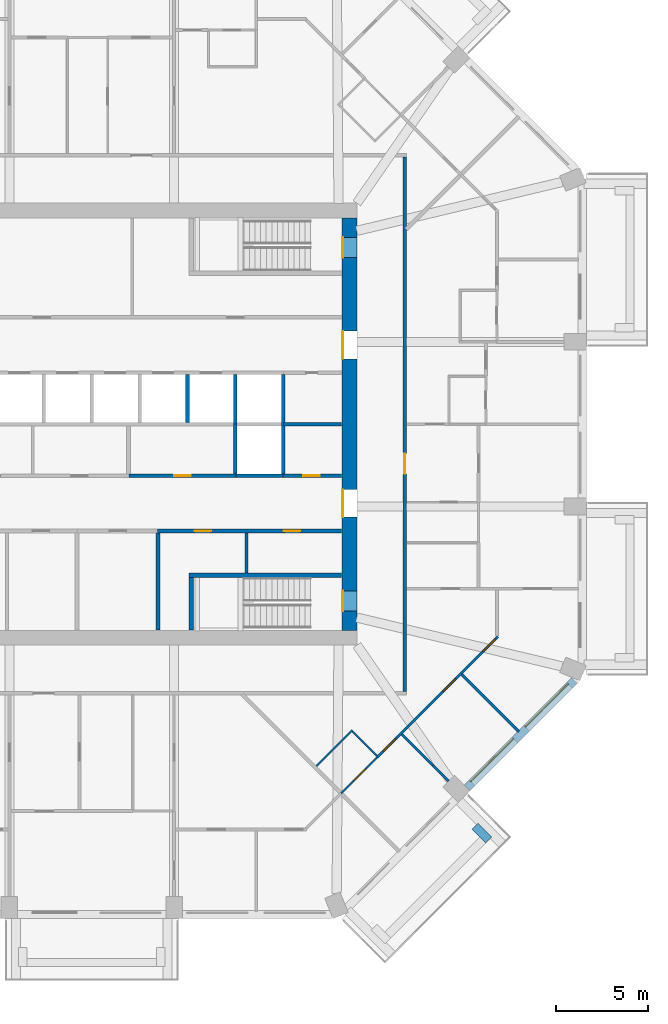
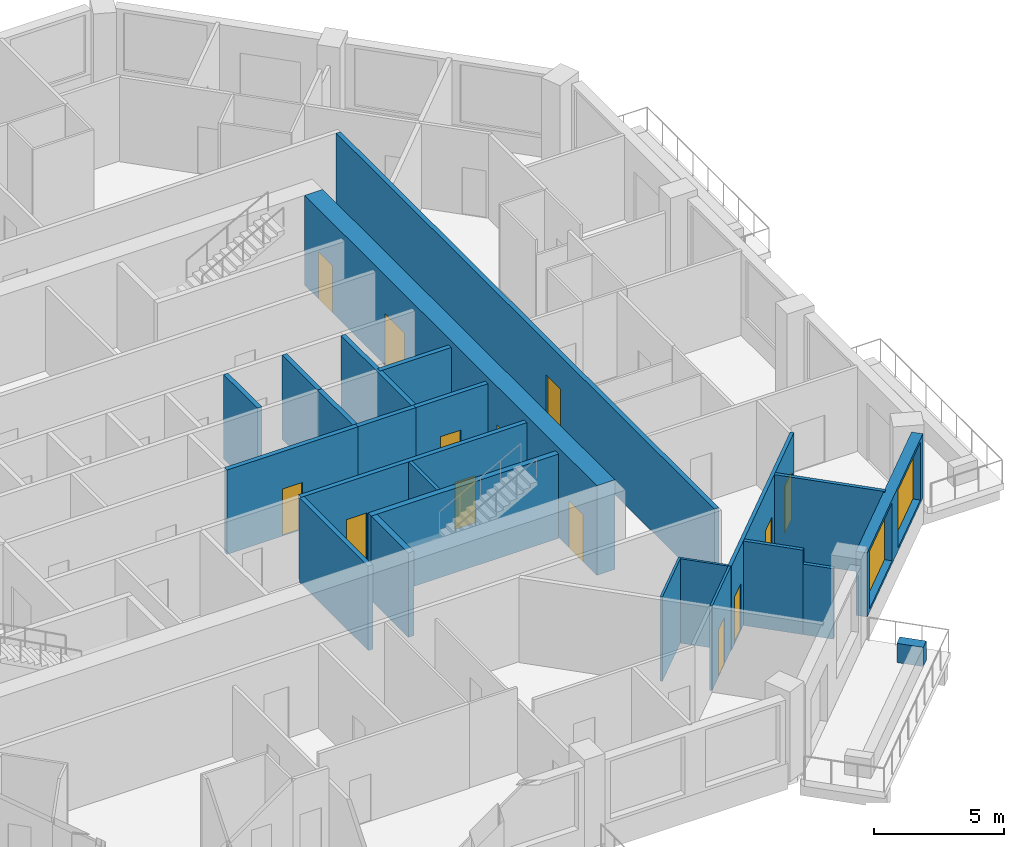
# One storey, part 6 of 13: 24 walls, 13 doors, 2 windows, 15 openings.
"""IFC4 building model written with IfcOpenShell, lengths in metres."""

from ifc_helpers import new_model, si_unit, direction, frame, frame_2d, origin, place, context, subcontext, project, spatial, rectangle, extrude, material, layer, layer_set, type_object, element, fill, save


model = new_model("IFC4")

# Units and contexts
model_context = context("Model", 3, precision=1e-05, world=origin(), true_north=direction((0.0, 1.0)))
body_context = subcontext(model_context, "Body", "Model", "MODEL_VIEW")
ifc_project = project(units=[si_unit("LENGTHUNIT", "METRE"), si_unit("AREAUNIT", "SQUARE_METRE"), si_unit("VOLUMEUNIT", "CUBIC_METRE"), si_unit("PLANEANGLEUNIT", "RADIAN"), si_unit("MASSUNIT", "GRAM", prefix="KILO")], contexts=[model_context])

# Site, building, storey
site_placement = place(None, origin())
site = spatial("IfcSite", under=ifc_project, at=site_placement, CompositionType="ELEMENT")
building_placement = place(site_placement, origin())
building = spatial("IfcBuilding", under=site, at=building_placement, Name="Msitu Wima Residences", CompositionType="ELEMENT")
storey_placement = place(building_placement, frame((0.0, 0.0, 140.10009765625)))
storey = spatial("IfcBuildingStorey", under=building, at=storey_placement, Name="L32", CompositionType="ELEMENT", Elevation=140.10009765625)

# Wall
ifc_material_1 = material(Name="Facing brick")
ifc_layer_1 = layer(ifc_material_1, 0.06494140625, Name="Facing brick")
ifc_material_2 = material(Name="Concrete C40/50", Category="concrete")
ifc_layer_2 = layer(ifc_material_2, 0.156005859375, Name="Concrete C40/50")
ifc_material_3 = material(Name="Waterproofing membrane")
ifc_layer_3 = layer(ifc_material_3, 0.00390625, Name="Waterproofing membrane")
ifc_material_4 = material(Name="Planting soil and planting")
ifc_layer_4 = layer(ifc_material_4, 0.22509765625, Name="Planting soil and planting")
ifc_layer_set_1 = layer_set([ifc_layer_1, ifc_layer_2, ifc_layer_3, ifc_layer_4], Name="Concrete C40/50")
wall_type_1 = type_object("IfcWallType", Name="Balcony planter PLANTER PL450", PredefinedType="USERDEFINED", material=ifc_layer_set_1)
wall_1_placement = place(storey_placement, frame((20.804443359375, -21.829833984375, 0.0), z_axis=(0.0, 0.0, 1.0), x_axis=(0.707106781187, -0.707106781187, 0.0)))
element("IfcWall", 1, at=wall_1_placement, inside=storey, type_object=wall_type_1, Name="Balcony planter SE0 L32", ObjectType="PLANTER", PredefinedType="USERDEFINED", context=body_context, shape_type="SweptSolid", body=[
    extrude(rectangle(XDim=1.050048828125, YDim=0.449951171875, at=frame_2d((0.52490234375, 0.0))), origin(), (0.0, 0.0, 1.0), 0.89990234375),
])

# Wall, openings, windows
ifc_material_5 = material(Name="Brick (red buff mix)", Category="masonry")
ifc_layer_5 = layer(ifc_material_5, 0.449951171875)
ifc_layer_set_2 = layer_set([ifc_layer_5], Name="Brick (red buff mix)")
wall_type_2 = type_object("IfcWallType", Name="Brick infill wall BW450", PredefinedType="SOLIDWALL", material=ifc_layer_set_2)
wall_2_placement = place(storey_placement, frame((20.380126953125, -19.743896484375, 0.89990234375), z_axis=(0.0, 0.0, 1.0), x_axis=(0.707106781187, 0.707106781187, 0.0)))
wall_2 = element("IfcWall", 2, at=wall_2_placement, inside=storey, type_object=wall_type_2, Name="Brick infill wall L32 SE1", PredefinedType="SOLIDWALL", context=body_context, shape_type="SweptSolid", body=[
    extrude(rectangle(XDim=8.251220703125, YDim=0.449951171875, at=frame_2d((4.12548828125, 0.0))), origin(), (0.0, 0.0, 1.0), 3.0),
])
opening_1_placement = place(wall_2_placement, frame((0.37548828125, 0.0, 0.14990234375)))
opening_1 = element("IfcOpeningElement", 3, at=opening_1_placement, cuts=wall_2, Name="Opening W30-32.022", PredefinedType="OPENING", context=body_context, shape_type="SweptSolid", body=[
    extrude(rectangle(XDim=3.300048828125, YDim=2.699951171875, at=frame_2d((1.64990234375, 1.35009765625))), frame((0.0, 0.23486328125, 0.0), z_axis=(0.0, -1.0, 0.0), x_axis=(1.0, 0.0, 0.0)), (0.0, 0.0, 1.0), 0.469970703125),
])
opening_2_placement = place(wall_2_placement, frame((4.57568359375, 0.0, 0.14990234375)))
opening_2 = element("IfcOpeningElement", 4, at=opening_2_placement, cuts=wall_2, Name="Opening W30-32.023", PredefinedType="OPENING", context=body_context, shape_type="SweptSolid", body=[
    extrude(rectangle(XDim=3.300048828125, YDim=2.699951171875, at=frame_2d((1.64990234375, 1.35009765625))), frame((0.0, 0.23486328125, 0.0), z_axis=(0.0, -1.0, 0.0), x_axis=(1.0, 0.0, 0.0)), (0.0, 0.0, 1.0), 0.469970703125),
])
ifc_material_6 = material(Name="Anodised aluminium, bronze finish, clear low-emissivity double glazing", Category="aluminium")
window_type = type_object("IfcWindowType", Name="Window W3300x2700", PartitioningType="DOUBLE_PANEL_VERTICAL", PredefinedType="WINDOW", material=ifc_material_6)
window_1_placement = place(opening_1_placement, origin())
window_1 = element("IfcWindow", 5, at=window_1_placement, inside=storey, type_object=window_type, Name="Window L32 SE1.1", OverallHeight=2.699951171875, OverallWidth=3.300048828125, PartitioningType="SINGLE_PANEL", PredefinedType="WINDOW", context=body_context, shape_type="SweptSolid", body=[
    extrude(rectangle(XDim=3.300048828125, YDim=2.699951171875, at=frame_2d((1.64990234375, 1.35009765625))), frame((0.0, 0.135009765625, 0.0), z_axis=(0.0, -1.0, 0.0), x_axis=(1.0, 0.0, 0.0)), (0.0, 0.0, 1.0), 0.06005859375),
])
fill(opening_1, window_1)
window_2_placement = place(opening_2_placement, origin())
window_2 = element("IfcWindow", 6, at=window_2_placement, inside=storey, type_object=window_type, Name="Window L32 SE1.2", OverallHeight=2.699951171875, OverallWidth=3.300048828125, PartitioningType="SINGLE_PANEL", PredefinedType="WINDOW", context=body_context, shape_type="SweptSolid", body=[
    extrude(rectangle(XDim=3.300048828125, YDim=2.699951171875, at=frame_2d((1.64990234375, 1.35009765625))), frame((0.0, 0.135009765625, 0.0), z_axis=(0.0, -1.0, 0.0), x_axis=(1.0, 0.0, 0.0)), (0.0, 0.0, 1.0), 0.06005859375),
])
fill(opening_2, window_2)

# Wall, openings, doors
ifc_material_7 = material(Name="Concrete C70/85", Category="concrete")
ifc_layer_6 = layer(ifc_material_7, 0.800048828125)
ifc_layer_set_3 = layer_set([ifc_layer_6], Name="Concrete C70/85")
wall_type_3 = type_object("IfcWallType", Name="Core wall CW800 C70/85", PredefinedType="SHEAR", material=ifc_layer_set_3)
wall_3_placement = place(storey_placement, frame((14.0, -11.199951171875, 0.0), z_axis=(0.0, 0.0, 1.0), x_axis=(0.0, 1.0, 0.0)))
wall_3 = element("IfcWall", 7, at=wall_3_placement, inside=storey, type_object=wall_type_3, Name="Core wall", PredefinedType="SHEAR", context=body_context, shape_type="SweptSolid", body=[
    extrude(rectangle(XDim=22.39990234375, YDim=0.800048828125, at=frame_2d((11.199951171875, 0.0))), origin(), (0.0, 0.0, 1.0), 4.199951171875),
])
opening_3_placement = place(wall_3_placement, frame((20.25, 0.0, 0.0)))
opening_3 = element("IfcOpeningElement", 8, at=opening_3_placement, cuts=wall_3, Name="Opening D30-32.038", PredefinedType="OPENING", context=body_context, shape_type="SweptSolid", body=[
    extrude(rectangle(XDim=1.10009765625, YDim=2.199951171875, at=frame_2d((0.550048828125, 1.10009765625))), frame((0.0, 0.409912109375, 0.0), z_axis=(0.0, -1.0, 0.0), x_axis=(1.0, 0.0, 0.0)), (0.0, 0.0, 1.0), 0.820068359375),
])
opening_4_placement = place(wall_3_placement, frame((1.050048828125, 0.0, 0.0)))
opening_4 = element("IfcOpeningElement", 9, at=opening_4_placement, cuts=wall_3, Name="Opening D30-32.039", PredefinedType="OPENING", context=body_context, shape_type="SweptSolid", body=[
    extrude(rectangle(XDim=1.10009765625, YDim=2.199951171875, at=frame_2d((0.550048828125, 1.10009765625))), frame((0.0, 0.409912109375, 0.0), z_axis=(0.0, -1.0, 0.0), x_axis=(1.0, 0.0, 0.0)), (0.0, 0.0, 1.0), 0.820068359375),
])
opening_5_placement = place(wall_3_placement, frame((14.75, 0.0, 0.0)))
opening_5 = element("IfcOpeningElement", 10, at=opening_5_placement, cuts=wall_3, Name="Opening D30-32.027", PredefinedType="OPENING", context=body_context, shape_type="SweptSolid", body=[
    extrude(rectangle(XDim=1.5, YDim=2.39990234375, at=frame_2d((0.75, 1.199951171875))), frame((0.0, 0.409912109375, 0.0), z_axis=(0.0, -1.0, 0.0), x_axis=(1.0, 0.0, 0.0)), (0.0, 0.0, 1.0), 0.820068359375),
])
opening_6_placement = place(wall_3_placement, frame((6.14990234375, 0.0, 0.0)))
opening_6 = element("IfcOpeningElement", 11, at=opening_6_placement, cuts=wall_3, Name="Opening D30-32.028", PredefinedType="OPENING", context=body_context, shape_type="SweptSolid", body=[
    extrude(rectangle(XDim=1.5, YDim=2.39990234375, at=frame_2d((0.75, 1.199951171875))), frame((0.0, 0.409912109375, 0.0), z_axis=(0.0, -1.0, 0.0), x_axis=(1.0, 0.0, 0.0)), (0.0, 0.0, 1.0), 0.820068359375),
])
ifc_material_8 = material(Name="Steel framed glazed door, fire resisting", Category="steel")
door_type_1 = type_object("IfcDoorType", Name="Lobby door D07 1500x2400", OperationType="DOUBLE_DOOR_SINGLE_SWING", PredefinedType="DOOR", material=ifc_material_8)
door_1_placement = place(opening_5_placement, origin())
door_1 = element("IfcDoor", 12, at=door_1_placement, inside=storey, type_object=door_type_1, Name="Lobby door", OperationType="DOUBLE_DOOR_SINGLE_SWING", OverallHeight=2.39990234375, OverallWidth=1.5, PredefinedType="DOOR", context=body_context, shape_type="SweptSolid", body=[
    extrude(rectangle(XDim=1.5, YDim=2.39990234375, at=frame_2d((0.75, 1.199951171875))), frame((0.0, 0.39501953125, 0.0), z_axis=(0.0, -1.0, 0.0), x_axis=(1.0, 0.0, 0.0)), (0.0, 0.0, 1.0), 0.050048828125),
])
fill(opening_5, door_1)
door_2_placement = place(opening_6_placement, origin())
door_2 = element("IfcDoor", 13, at=door_2_placement, inside=storey, type_object=door_type_1, Name="Lobby door", OperationType="DOUBLE_DOOR_SINGLE_SWING", OverallHeight=2.39990234375, OverallWidth=1.5, PredefinedType="DOOR", context=body_context, shape_type="SweptSolid", body=[
    extrude(rectangle(XDim=1.5, YDim=2.39990234375, at=frame_2d((0.75, 1.199951171875))), frame((0.0, 0.39501953125, 0.0), z_axis=(0.0, -1.0, 0.0), x_axis=(1.0, 0.0, 0.0)), (0.0, 0.0, 1.0), 0.050048828125),
])
fill(opening_6, door_2)
ifc_material_9 = material(Name="Steel door, fire resisting, panic bar", Category="steel")
door_type_2 = type_object("IfcDoorType", Name="Stair door D06 1100x2200", OperationType="SINGLE_SWING_LEFT", PredefinedType="DOOR", material=ifc_material_9)
door_3_placement = place(opening_3_placement, origin())
door_3 = element("IfcDoor", 14, at=door_3_placement, inside=storey, type_object=door_type_2, Name="Stair door", OperationType="SINGLE_SWING_LEFT", OverallHeight=2.199951171875, OverallWidth=1.10009765625, PredefinedType="DOOR", context=body_context, shape_type="SweptSolid", body=[
    extrude(rectangle(XDim=1.10009765625, YDim=2.199951171875, at=frame_2d((0.550048828125, 1.10009765625))), frame((0.0, 0.39501953125, 0.0), z_axis=(0.0, -1.0, 0.0), x_axis=(1.0, 0.0, 0.0)), (0.0, 0.0, 1.0), 0.050048828125),
])
fill(opening_3, door_3)
door_4_placement = place(opening_4_placement, origin())
door_4 = element("IfcDoor", 15, at=door_4_placement, inside=storey, type_object=door_type_2, Name="Stair door", OperationType="SINGLE_SWING_RIGHT", OverallHeight=2.199951171875, OverallWidth=1.10009765625, PredefinedType="DOOR", context=body_context, shape_type="SweptSolid", body=[
    extrude(rectangle(XDim=1.10009765625, YDim=2.199951171875, at=frame_2d((0.550048828125, 1.10009765625))), frame((0.0, 0.39501953125, 0.0), z_axis=(0.0, -1.0, 0.0), x_axis=(1.0, 0.0, 0.0)), (0.0, 0.0, 1.0), 0.050048828125),
])
fill(opening_4, door_4)

ifc_material_10 = material(Name="Plaster")
ifc_layer_7 = layer(ifc_material_10, 0.011962890625, Name="Plaster")
ifc_material_11 = material(Name="Concrete blockwork", Category="masonry")
ifc_layer_8 = layer(ifc_material_11, 0.176025390625, Name="Concrete blockwork")
ifc_layer_9 = layer(ifc_material_10, 0.011962890625, Name="Plaster")
ifc_layer_set_4 = layer_set([ifc_layer_7, ifc_layer_8, ifc_layer_9], Name="Concrete blockwork")
wall_type_4 = type_object("IfcWallType", Name="Corridor wall FW200", PredefinedType="PARTITIONING", material=ifc_layer_set_4)
wall_4_placement = place(storey_placement, frame((3.580078125, -5.800048828125, 0.0), z_axis=(0.0, 0.0, 1.0), x_axis=(1.0, 0.0, 0.0)))
wall_4 = element("IfcWall", 16, at=wall_4_placement, inside=storey, type_object=wall_type_4, Name="Corridor wall", PredefinedType="PARTITIONING", context=body_context, shape_type="SweptSolid", body=[
    extrude(rectangle(XDim=9.989990234375, YDim=0.199951171875, at=frame_2d((4.9951171875, 0.0))), origin(), (0.0, 0.0, 1.0), 3.949951171875),
])
opening_7_placement = place(wall_4_placement, frame((2.0, 0.0, 0.0)))
opening_7 = element("IfcOpeningElement", 17, at=opening_7_placement, cuts=wall_4, Name="Opening D30-32.025", PredefinedType="OPENING", context=body_context, shape_type="SweptSolid", body=[
    extrude(rectangle(XDim=0.89990234375, YDim=2.199951171875, at=frame_2d((0.449951171875, 1.10009765625))), frame((0.0, 0.10986328125, 0.0), z_axis=(0.0, -1.0, 0.0), x_axis=(1.0, 0.0, 0.0)), (0.0, 0.0, 1.0), 0.219970703125),
])
opening_8_placement = place(wall_4_placement, frame((6.85009765625, 0.0, 0.0)))
opening_8 = element("IfcOpeningElement", 18, at=opening_8_placement, cuts=wall_4, Name="Opening D30-32.026", PredefinedType="OPENING", context=body_context, shape_type="SweptSolid", body=[
    extrude(rectangle(XDim=0.89990234375, YDim=2.199951171875, at=frame_2d((0.449951171875, 1.10009765625))), frame((0.0, 0.10986328125, 0.0), z_axis=(0.0, -1.0, 0.0), x_axis=(1.0, 0.0, 0.0)), (0.0, 0.0, 1.0), 0.219970703125),
])
ifc_material_12 = material(Name="Timber flush door", Category="wood")
door_type_3 = type_object("IfcDoorType", Name="Service door D05 900x2200", OperationType="SINGLE_SWING_LEFT", PredefinedType="DOOR", material=ifc_material_12)
door_5_placement = place(opening_7_placement, origin())
door_5 = element("IfcDoor", 19, at=door_5_placement, inside=storey, type_object=door_type_3, Name="Service door", OperationType="SINGLE_SWING_LEFT", OverallHeight=2.199951171875, OverallWidth=0.89990234375, PredefinedType="DOOR", context=body_context, shape_type="SweptSolid", body=[
    extrude(rectangle(XDim=0.89990234375, YDim=2.199951171875, at=frame_2d((0.449951171875, 1.10009765625))), frame((0.0, 0.02490234375, 0.0), z_axis=(0.0, -1.0, 0.0), x_axis=(1.0, 0.0, 0.0)), (0.0, 0.0, 1.0), 0.050048828125),
])
fill(opening_7, door_5)
door_6_placement = place(opening_8_placement, origin())
door_6 = element("IfcDoor", 20, at=door_6_placement, inside=storey, type_object=door_type_3, Name="Service door", OperationType="SINGLE_SWING_RIGHT", OverallHeight=2.199951171875, OverallWidth=0.89990234375, PredefinedType="DOOR", context=body_context, shape_type="SweptSolid", body=[
    extrude(rectangle(XDim=0.89990234375, YDim=2.199951171875, at=frame_2d((0.449951171875, 1.10009765625))), frame((0.0, 0.02490234375, 0.0), z_axis=(0.0, -1.0, 0.0), x_axis=(1.0, 0.0, 0.0)), (0.0, 0.0, 1.0), 0.050048828125),
])
fill(opening_8, door_6)

# Wall, opening, door
wall_5_placement = place(storey_placement, frame((17.0, -14.5, 0.0), z_axis=(0.0, 0.0, 1.0), x_axis=(0.0, 1.0, 0.0)))
wall_5 = element("IfcWall", 21, at=wall_5_placement, inside=storey, type_object=wall_type_4, Name="Corridor wall", PredefinedType="PARTITIONING", context=body_context, shape_type="SweptSolid", body=[
    extrude(rectangle(XDim=29.0, YDim=0.199951171875, at=frame_2d((14.5, 0.0))), origin(), (0.0, 0.0, 1.0), 3.949951171875),
])
opening_9_placement = place(wall_5_placement, frame((11.800048828125, 0.0, 0.0)))
opening_9 = element("IfcOpeningElement", 22, at=opening_9_placement, cuts=wall_5, Name="Opening D30-32.014", PredefinedType="OPENING", context=body_context, shape_type="SweptSolid", body=[
    extrude(rectangle(XDim=1.10009765625, YDim=2.39990234375, at=frame_2d((0.550048828125, 1.199951171875))), frame((0.0, 0.10986328125, 0.0), z_axis=(0.0, -1.0, 0.0), x_axis=(1.0, 0.0, 0.0)), (0.0, 0.0, 1.0), 0.219970703125),
])
ifc_material_13 = material(Name="Timber flush door, fire resisting, self-closing", Category="wood")
door_type_4 = type_object("IfcDoorType", Name="Flat entrance door D01 1100x2400", OperationType="SINGLE_SWING_LEFT", PredefinedType="DOOR", material=ifc_material_13)
door_7_placement = place(opening_9_placement, origin())
door_7 = element("IfcDoor", 23, at=door_7_placement, inside=storey, type_object=door_type_4, Name="Flat entrance door", OperationType="SINGLE_SWING_RIGHT", OverallHeight=2.39990234375, OverallWidth=1.10009765625, PredefinedType="DOOR", context=body_context, shape_type="SweptSolid", body=[
    extrude(rectangle(XDim=1.10009765625, YDim=2.39990234375, at=frame_2d((0.550048828125, 1.199951171875))), frame((0.0, 0.02490234375, 0.0), z_axis=(0.0, -1.0, 0.0), x_axis=(1.0, 0.0, 0.0)), (0.0, 0.0, 1.0), 0.050048828125),
])
fill(opening_9, door_7)

# Wall
ifc_layer_10 = layer(ifc_material_10, 0.011962890625, Name="Plaster")
ifc_layer_11 = layer(ifc_material_11, 0.1259765625, Name="Concrete blockwork")
ifc_layer_12 = layer(ifc_material_10, 0.011962890625, Name="Plaster")
ifc_layer_set_5 = layer_set([ifc_layer_10, ifc_layer_11, ifc_layer_12], Name="Concrete blockwork")
wall_type_5 = type_object("IfcWallType", Name="Partition PW150", PredefinedType="PARTITIONING", material=ifc_layer_set_5)
wall_6_placement = place(storey_placement, frame((8.39990234375, -8.074951171875, 0.0), z_axis=(0.0, 0.0, 1.0), x_axis=(0.0, 1.0, 0.0)))
element("IfcWall", 24, at=wall_6_placement, inside=storey, type_object=wall_type_5, Name="Partition", PredefinedType="PARTITIONING", context=body_context, shape_type="SweptSolid", body=[
    extrude(rectangle(XDim=2.175048828125, YDim=0.14990234375, at=frame_2d((1.08740234375, 0.0))), origin(), (0.0, 0.0, 1.0), 3.949951171875),
])

# Wall, openings, doors
wall_7_placement = place(storey_placement, frame((15.5087890625, -18.074462890625, 0.0), z_axis=(0.0, 0.0, 1.0), x_axis=(0.707106781187, 0.707106781187, 0.0)))
wall_7 = element("IfcWall", 25, at=wall_7_placement, inside=storey, type_object=wall_type_5, Name="Partition", PredefinedType="PARTITIONING", context=body_context, shape_type="SweptSolid", body=[
    extrude(rectangle(XDim=9.2548828125, YDim=0.14990234375, at=frame_2d((4.62744140625, 0.0))), origin(), (0.0, 0.0, 1.0), 3.949951171875),
])
opening_10_placement = place(wall_7_placement, frame((8.10009765625, 0.0, 0.0)))
opening_10 = element("IfcOpeningElement", 26, at=opening_10_placement, cuts=wall_7, Name="Opening D30-32.082", PredefinedType="OPENING", context=body_context, shape_type="SweptSolid", body=[
    extrude(rectangle(XDim=0.949951171875, YDim=2.199951171875, at=frame_2d((0.47509765625, 1.10009765625))), frame((0.0, 0.0849609375, 0.0), z_axis=(0.0, -1.0, 0.0), x_axis=(1.0, 0.0, 0.0)), (0.0, 0.0, 1.0), 0.169921875),
])
opening_11_placement = place(wall_7_placement, frame((5.050048828125, 0.0, 0.0)))
opening_11 = element("IfcOpeningElement", 27, at=opening_11_placement, cuts=wall_7, Name="Opening D30-32.083", PredefinedType="OPENING", context=body_context, shape_type="SweptSolid", body=[
    extrude(rectangle(XDim=0.949951171875, YDim=2.199951171875, at=frame_2d((0.47509765625, 1.10009765625))), frame((0.0, 0.0849609375, 0.0), z_axis=(0.0, -1.0, 0.0), x_axis=(1.0, 0.0, 0.0)), (0.0, 0.0, 1.0), 0.169921875),
])
opening_12_placement = place(wall_7_placement, frame((0.449951171875, 0.0, 0.0)))
opening_12 = element("IfcOpeningElement", 28, at=opening_12_placement, cuts=wall_7, Name="Opening D30-32.085", PredefinedType="OPENING", context=body_context, shape_type="SweptSolid", body=[
    extrude(rectangle(XDim=0.949951171875, YDim=2.199951171875, at=frame_2d((0.47509765625, 1.10009765625))), frame((0.0, 0.0849609375, 0.0), z_axis=(0.0, -1.0, 0.0), x_axis=(1.0, 0.0, 0.0)), (0.0, 0.0, 1.0), 0.169921875),
])
door_type_5 = type_object("IfcDoorType", Name="Room door D12 950x2200", OperationType="SINGLE_SWING_LEFT", PredefinedType="DOOR", material=ifc_material_12)
door_8_placement = place(opening_10_placement, origin())
door_8 = element("IfcDoor", 29, at=door_8_placement, inside=storey, type_object=door_type_5, Name="Room door", OperationType="SINGLE_SWING_RIGHT", OverallHeight=2.199951171875, OverallWidth=0.949951171875, PredefinedType="DOOR", context=body_context, shape_type="SweptSolid", body=[
    extrude(rectangle(XDim=0.949951171875, YDim=2.199951171875, at=frame_2d((0.47509765625, 1.10009765625))), frame((0.0, 0.02490234375, 0.0), z_axis=(0.0, -1.0, 0.0), x_axis=(1.0, 0.0, 0.0)), (0.0, 0.0, 1.0), 0.050048828125),
])
fill(opening_10, door_8)
door_9_placement = place(opening_11_placement, origin())
door_9 = element("IfcDoor", 30, at=door_9_placement, inside=storey, type_object=door_type_5, Name="Room door", OperationType="SINGLE_SWING_LEFT", OverallHeight=2.199951171875, OverallWidth=0.949951171875, PredefinedType="DOOR", context=body_context, shape_type="SweptSolid", body=[
    extrude(rectangle(XDim=0.949951171875, YDim=2.199951171875, at=frame_2d((0.47509765625, 1.10009765625))), frame((0.0, 0.02490234375, 0.0), z_axis=(0.0, -1.0, 0.0), x_axis=(1.0, 0.0, 0.0)), (0.0, 0.0, 1.0), 0.050048828125),
])
fill(opening_11, door_9)
door_10_placement = place(opening_12_placement, origin())
door_10 = element("IfcDoor", 31, at=door_10_placement, inside=storey, type_object=door_type_5, Name="Room door", OperationType="SINGLE_SWING_LEFT", OverallHeight=2.199951171875, OverallWidth=0.949951171875, PredefinedType="DOOR", context=body_context, shape_type="SweptSolid", body=[
    extrude(rectangle(XDim=0.949951171875, YDim=2.199951171875, at=frame_2d((0.47509765625, 1.10009765625))), frame((0.0, 0.02490234375, 0.0), z_axis=(0.0, -1.0, 0.0), x_axis=(1.0, 0.0, 0.0)), (0.0, 0.0, 1.0), 0.050048828125),
])
fill(opening_12, door_10)

# Walls
wall_8_placement = place(storey_placement, frame((16.8447265625, -16.8447265625, 0.0), z_axis=(0.0, 0.0, 1.0), x_axis=(0.707106781187, -0.707106781187, 0.0)))
element("IfcWall", 32, at=wall_8_placement, inside=storey, type_object=wall_type_5, Name="Partition", PredefinedType="PARTITIONING", context=body_context, shape_type="SweptSolid", body=[
    extrude(rectangle(XDim=2.36572265625, YDim=0.14990234375, at=frame_2d((1.182861328125, 0.0))), origin(), (0.0, 0.0, 1.0), 3.949951171875),
])
wall_9_placement = place(storey_placement, frame((18.517578125, -18.517578125, 0.0), z_axis=(0.0, 0.0, 1.0), x_axis=(0.707106781187, -0.707106781187, 0.0)))
element("IfcWall", 33, at=wall_9_placement, inside=storey, type_object=wall_type_5, Name="Partition", PredefinedType="PARTITIONING", context=body_context, shape_type="SweptSolid", body=[
    extrude(rectangle(XDim=1.209228515625, YDim=0.14990234375, at=frame_2d((0.6044921875, 0.0))), origin(), (0.0, 0.0, 1.0), 3.2998046875),
])
wall_10_placement = place(storey_placement, frame((20.09326171875, -13.59619140625, 0.0), z_axis=(0.0, 0.0, 1.0), x_axis=(0.707106781187, -0.707106781187, 0.0)))
element("IfcWall", 34, at=wall_10_placement, inside=storey, type_object=wall_type_5, Name="Partition", PredefinedType="PARTITIONING", context=body_context, shape_type="SweptSolid", body=[
    extrude(rectangle(XDim=4.380126953125, YDim=0.14990234375, at=frame_2d((2.18994140625, 0.0))), origin(), (0.0, 0.0, 1.0), 3.949951171875),
])

# Wall, opening, door
ifc_layer_13 = layer(ifc_material_10, 0.011962890625, Name="Plaster")
ifc_material_14 = material(Name="Reinforced concrete blockwork", Category="masonry")
ifc_layer_14 = layer(ifc_material_14, 0.176025390625, Name="Reinforced concrete blockwork")
ifc_layer_15 = layer(ifc_material_10, 0.011962890625, Name="Plaster")
ifc_layer_set_6 = layer_set([ifc_layer_13, ifc_layer_14, ifc_layer_15], Name="Reinforced concrete blockwork")
wall_type_6 = type_object("IfcWallType", Name="Plant and riser wall PL200", PredefinedType="PARTITIONING", material=ifc_layer_set_6)
wall_11_placement = place(storey_placement, frame((2.02001953125, -2.800048828125, 0.0), z_axis=(0.0, 0.0, 1.0), x_axis=(1.0, 0.0, 0.0)))
wall_11 = element("IfcWall", 35, at=wall_11_placement, inside=storey, type_object=wall_type_6, Name="Plant and riser wall", PredefinedType="PARTITIONING", context=body_context, shape_type="SweptSolid", body=[
    extrude(rectangle(XDim=5.800048828125, YDim=0.199951171875, at=frame_2d((2.89990234375, 0.0))), origin(), (0.0, 0.0, 1.0), 3.949951171875),
])
opening_13_placement = place(wall_11_placement, frame((2.449951171875, 0.0, 0.0)))
opening_13 = element("IfcOpeningElement", 36, at=opening_13_placement, cuts=wall_11, Name="Opening D30-32.033", PredefinedType="OPENING", context=body_context, shape_type="SweptSolid", body=[
    extrude(rectangle(XDim=0.89990234375, YDim=2.199951171875, at=frame_2d((0.449951171875, 1.10009765625))), frame((0.0, 0.10986328125, 0.0), z_axis=(0.0, -1.0, 0.0), x_axis=(1.0, 0.0, 0.0)), (0.0, 0.0, 1.0), 0.219970703125),
])
door_11_placement = place(opening_13_placement, origin())
door_11 = element("IfcDoor", 37, at=door_11_placement, inside=storey, type_object=door_type_3, Name="Service door", OperationType="SINGLE_SWING_RIGHT", OverallHeight=2.199951171875, OverallWidth=0.89990234375, PredefinedType="DOOR", context=body_context, shape_type="SweptSolid", body=[
    extrude(rectangle(XDim=0.89990234375, YDim=2.199951171875, at=frame_2d((0.449951171875, 1.10009765625))), frame((0.0, 0.02490234375, 0.0), z_axis=(0.0, -1.0, 0.0), x_axis=(1.0, 0.0, 0.0)), (0.0, 0.0, 1.0), 0.050048828125),
])
fill(opening_13, door_11)

# Wall
wall_12_placement = place(storey_placement, frame((3.60009765625, -11.169921875, 0.0), z_axis=(0.0, 0.0, 1.0), x_axis=(0.0, 1.0, 0.0)))
element("IfcWall", 38, at=wall_12_placement, inside=storey, type_object=wall_type_6, Name="Plant and riser wall", PredefinedType="PARTITIONING", context=body_context, shape_type="SweptSolid", body=[
    extrude(rectangle(XDim=5.27001953125, YDim=0.199951171875, at=frame_2d((2.635009765625, 0.0))), origin(), (0.0, 0.0, 1.0), 3.949951171875),
])

# Wall, opening, door
wall_13_placement = place(storey_placement, frame((10.3798828125, -2.800048828125, 0.0), z_axis=(0.0, 0.0, 1.0), x_axis=(1.0, 0.0, 0.0)))
wall_13 = element("IfcWall", 39, at=wall_13_placement, inside=storey, type_object=wall_type_6, Name="Plant and riser wall", PredefinedType="PARTITIONING", context=body_context, shape_type="SweptSolid", body=[
    extrude(rectangle(XDim=3.190185546875, YDim=0.199951171875, at=frame_2d((1.59521484375, 0.0))), origin(), (0.0, 0.0, 1.0), 3.949951171875),
])
opening_14_placement = place(wall_13_placement, frame((1.10009765625, 0.0, 0.0)))
opening_14 = element("IfcOpeningElement", 40, at=opening_14_placement, cuts=wall_13, Name="Opening D30-32.015", PredefinedType="OPENING", context=body_context, shape_type="SweptSolid", body=[
    extrude(rectangle(XDim=0.89990234375, YDim=2.199951171875, at=frame_2d((0.449951171875, 1.10009765625))), frame((0.0, 0.10986328125, 0.0), z_axis=(0.0, -1.0, 0.0), x_axis=(1.0, 0.0, 0.0)), (0.0, 0.0, 1.0), 0.219970703125),
])
door_12_placement = place(opening_14_placement, origin())
door_12 = element("IfcDoor", 41, at=door_12_placement, inside=storey, type_object=door_type_3, Name="Service door", OperationType="SINGLE_SWING_LEFT", OverallHeight=2.199951171875, OverallWidth=0.89990234375, PredefinedType="DOOR", context=body_context, shape_type="SweptSolid", body=[
    extrude(rectangle(XDim=0.89990234375, YDim=2.199951171875, at=frame_2d((0.449951171875, 1.10009765625))), frame((0.0, 0.02490234375, 0.0), z_axis=(0.0, -1.0, 0.0), x_axis=(1.0, 0.0, 0.0)), (0.0, 0.0, 1.0), 0.050048828125),
])
fill(opening_14, door_12)

# Walls
wall_14_placement = place(storey_placement, frame((10.39990234375, 0.0, 0.0), z_axis=(0.0, 0.0, 1.0), x_axis=(1.0, 0.0, 0.0)))
element("IfcWall", 42, at=wall_14_placement, inside=storey, type_object=wall_type_6, Name="Plant and riser wall", PredefinedType="PARTITIONING", context=body_context, shape_type="SweptSolid", body=[
    extrude(rectangle(XDim=3.170166015625, YDim=0.199951171875, at=frame_2d((1.5849609375, 0.0))), origin(), (0.0, 0.0, 1.0), 3.949951171875),
])
ifc_material_15 = material(Name="Fire-rated board")
ifc_layer_16 = layer(ifc_material_15, 0.02490234375, Name="Fire-rated board")
ifc_material_16 = material(Name="Light-gauge stud framing with mineral wool")
ifc_layer_17 = layer(ifc_material_16, 0.14990234375, Name="Light-gauge stud framing with mineral wool")
ifc_layer_18 = layer(ifc_material_15, 0.02490234375, Name="Fire-rated board")
ifc_layer_set_7 = layer_set([ifc_layer_16, ifc_layer_17, ifc_layer_18], Name="Light-gauge stud framing with mineral wool")
wall_type_7 = type_object("IfcWallType", Name="Shaft wall SH200", PredefinedType="PARTITIONING", material=ifc_layer_set_7)
wall_15_placement = place(storey_placement, frame((5.199951171875, 0.10009765625, 0.0), z_axis=(0.0, 0.0, 1.0), x_axis=(0.0, 1.0, 0.0)))
element("IfcWall", 43, at=wall_15_placement, inside=storey, type_object=wall_type_7, Name="Shaft wall", PredefinedType="PARTITIONING", context=body_context, shape_type="SweptSolid", body=[
    extrude(rectangle(XDim=2.599853515625, YDim=0.199951171875, at=frame_2d((1.2998046875, 0.0))), origin(), (0.0, 0.0, 1.0), 3.949951171875),
])
wall_16_placement = place(storey_placement, frame((7.800048828125, -2.699951171875, 0.0), z_axis=(0.0, 0.0, 1.0), x_axis=(0.0, 1.0, 0.0)))
element("IfcWall", 44, at=wall_16_placement, inside=storey, type_object=wall_type_7, Name="Shaft wall", PredefinedType="PARTITIONING", context=body_context, shape_type="SweptSolid", body=[
    extrude(rectangle(XDim=2.699951171875, YDim=0.199951171875, at=frame_2d((1.35009765625, 0.0))), origin(), (0.0, 0.0, 1.0), 3.949951171875),
])
wall_17_placement = place(storey_placement, frame((7.820068359375, -2.800048828125, 0.0), z_axis=(0.0, 0.0, 1.0), x_axis=(1.0, 0.0, 0.0)))
element("IfcWall", 45, at=wall_17_placement, inside=storey, type_object=wall_type_7, Name="Shaft wall", PredefinedType="PARTITIONING", context=body_context, shape_type="SweptSolid", body=[
    extrude(rectangle(XDim=2.559814453125, YDim=0.199951171875, at=frame_2d((1.27978515625, 0.0))), origin(), (0.0, 0.0, 1.0), 3.949951171875),
])
wall_18_placement = place(storey_placement, frame((7.800048828125, 0.0, 0.0), z_axis=(0.0, 0.0, 1.0), x_axis=(0.0, 1.0, 0.0)))
element("IfcWall", 46, at=wall_18_placement, inside=storey, type_object=wall_type_7, Name="Shaft wall", PredefinedType="PARTITIONING", context=body_context, shape_type="SweptSolid", body=[
    extrude(rectangle(XDim=2.699951171875, YDim=0.199951171875, at=frame_2d((1.35009765625, 0.0))), origin(), (0.0, 0.0, 1.0), 3.949951171875),
])
wall_19_placement = place(storey_placement, frame((10.39990234375, -2.699951171875, 0.0), z_axis=(0.0, 0.0, 1.0), x_axis=(0.0, 1.0, 0.0)))
element("IfcWall", 47, at=wall_19_placement, inside=storey, type_object=wall_type_7, Name="Shaft wall", PredefinedType="PARTITIONING", context=body_context, shape_type="SweptSolid", body=[
    extrude(rectangle(XDim=5.39990234375, YDim=0.199951171875, at=frame_2d((2.699951171875, 0.0))), origin(), (0.0, 0.0, 1.0), 3.949951171875),
])
ifc_material_17 = material(Name="Concrete C50/60", Category="concrete")
ifc_layer_19 = layer(ifc_material_17, 0.25)
ifc_layer_set_8 = layer_set([ifc_layer_19], Name="Concrete C50/60")
wall_type_8 = type_object("IfcWallType", Name="Stair enclosure wall SW250", PredefinedType="SHEAR", material=ifc_layer_set_8)
wall_20_placement = place(storey_placement, frame((5.39990234375, -11.169921875, 0.0), z_axis=(0.0, 0.0, 1.0), x_axis=(0.0, 1.0, 0.0)))
element("IfcWall", 48, at=wall_20_placement, inside=storey, type_object=wall_type_8, Name="Stair enclosure wall", PredefinedType="SHEAR", context=body_context, shape_type="SweptSolid", body=[
    extrude(rectangle(XDim=2.844970703125, YDim=0.25, at=frame_2d((1.42236328125, 0.0))), origin(), (0.0, 0.0, 1.0), 3.949951171875),
])
wall_21_placement = place(storey_placement, frame((5.27490234375, -8.199951171875, 0.0), z_axis=(0.0, 0.0, 1.0), x_axis=(1.0, 0.0, 0.0)))
element("IfcWall", 49, at=wall_21_placement, inside=storey, type_object=wall_type_8, Name="Stair enclosure wall", PredefinedType="SHEAR", context=body_context, shape_type="SweptSolid", body=[
    extrude(rectangle(XDim=8.295166015625, YDim=0.25, at=frame_2d((4.1474609375, 0.0))), origin(), (0.0, 0.0, 1.0), 3.949951171875),
])
ifc_material_18 = material(Name="Ceramic tiles")
ifc_layer_20 = layer(ifc_material_18, 0.008056640625, Name="Ceramic tiles")
ifc_material_19 = material(Name="Moisture-resistant board")
ifc_layer_21 = layer(ifc_material_19, 0.012451171875, Name="Moisture-resistant board")
ifc_layer_22 = layer(ifc_material_16, 0.06689453125, Name="Light-gauge stud framing with mineral wool")
ifc_layer_23 = layer(ifc_material_19, 0.012451171875, Name="Moisture-resistant board")
ifc_layer_set_9 = layer_set([ifc_layer_20, ifc_layer_21, ifc_layer_22, ifc_layer_23], Name="Light-gauge stud framing with mineral wool")
wall_type_9 = type_object("IfcWallType", Name="Wet wall PW100", PredefinedType="PARTITIONING", material=ifc_layer_set_9)
wall_22_placement = place(storey_placement, frame((12.19970703125, -18.55517578125, 0.0), z_axis=(0.0, 0.0, 1.0), x_axis=(0.707151170953, 0.707062388634, 0.0)))
element("IfcWall", 50, at=wall_22_placement, inside=storey, type_object=wall_type_9, Name="Wet wall", PredefinedType="PARTITIONING", context=body_context, shape_type="SweptSolid", body=[
    extrude(rectangle(XDim=2.75, YDim=0.10009765625, at=frame_2d((1.375, 0.0))), origin(), (0.0, 0.0, 1.0), 3.949951171875),
])

# Wall, opening, door
wall_23_placement = place(storey_placement, frame((13.543212890625, -20.040283203125, 0.0), z_axis=(0.0, 0.0, 1.0), x_axis=(0.70706286833, 0.707150691317, 0.0)))
wall_23 = element("IfcWall", 51, at=wall_23_placement, inside=storey, type_object=wall_type_9, Name="Wet wall", PredefinedType="PARTITIONING", context=body_context, shape_type="SweptSolid", body=[
    extrude(rectangle(XDim=2.780029296875, YDim=0.10009765625, at=frame_2d((1.39013671875, 0.0))), origin(), (0.0, 0.0, 1.0), 3.949951171875),
])
opening_15_placement = place(wall_23_placement, frame((0.949951171875, 0.0, 0.0)))
opening_15 = element("IfcOpeningElement", 52, at=opening_15_placement, cuts=wall_23, Name="Opening D30-32.086", PredefinedType="OPENING", context=body_context, shape_type="SweptSolid", body=[
    extrude(rectangle(XDim=0.89990234375, YDim=2.199951171875, at=frame_2d((0.449951171875, 1.10009765625))), frame((0.0, 0.06005859375, 0.0), z_axis=(0.0, -1.0, 0.0), x_axis=(1.0, 0.0, 0.0)), (0.0, 0.0, 1.0), 0.1201171875),
])
ifc_material_20 = material(Name="Timber flush door, moisture resistant", Category="wood")
door_type_6 = type_object("IfcDoorType", Name="Bathroom door D03 900x2200", OperationType="SINGLE_SWING_LEFT", PredefinedType="DOOR", material=ifc_material_20)
door_13_placement = place(opening_15_placement, origin())
door_13 = element("IfcDoor", 53, at=door_13_placement, inside=storey, type_object=door_type_6, Name="Bathroom door", OperationType="SINGLE_SWING_LEFT", OverallHeight=2.199951171875, OverallWidth=0.89990234375, PredefinedType="DOOR", context=body_context, shape_type="SweptSolid", body=[
    extrude(rectangle(XDim=0.89990234375, YDim=2.199951171875, at=frame_2d((0.449951171875, 1.10009765625))), frame((0.0, 0.02490234375, 0.0), z_axis=(0.0, -1.0, 0.0), x_axis=(1.0, 0.0, 0.0)), (0.0, 0.0, 1.0), 0.050048828125),
])
fill(opening_15, door_13)

# Wall
wall_24_placement = place(storey_placement, frame((14.144287109375, -16.681396484375, 0.0), z_axis=(0.0, 0.0, 1.0), x_axis=(0.707041673063, -0.707171883316, 0.0)))
element("IfcWall", 54, at=wall_24_placement, inside=storey, type_object=wall_type_9, Name="Wet wall", PredefinedType="PARTITIONING", context=body_context, shape_type="SweptSolid", body=[
    extrude(rectangle(XDim=1.875, YDim=0.10009765625, at=frame_2d((0.9375, 0.0))), origin(), (0.0, 0.0, 1.0), 3.949951171875),
])

save(model, "model.ifc")
